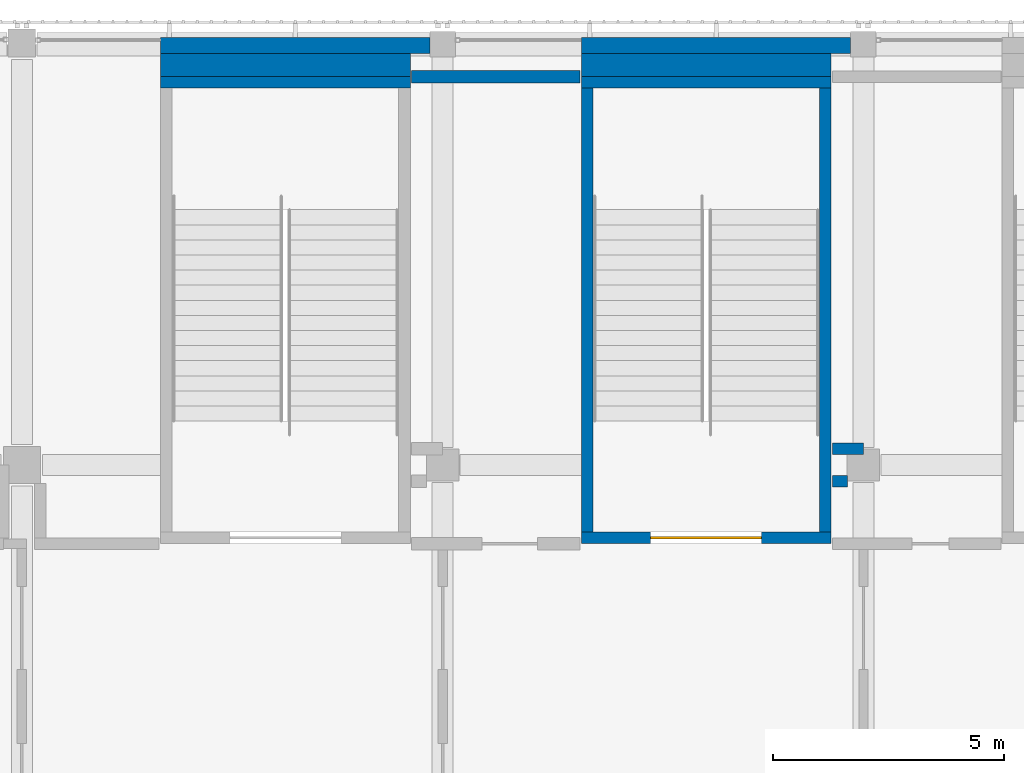
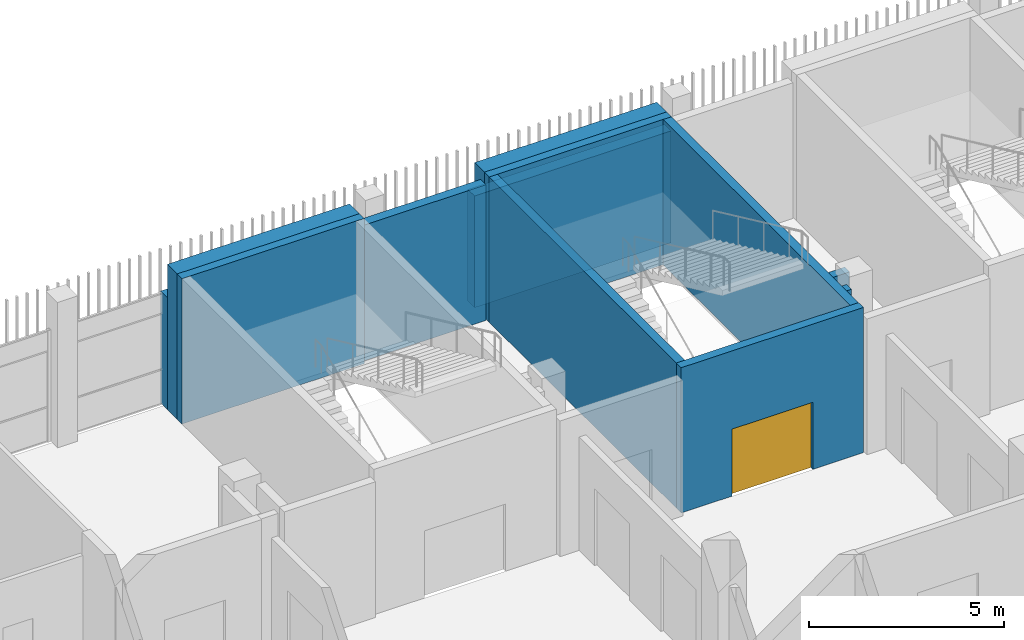
# One storey, part 86 of 126: 12 walls, 1 door, 1 opening.
"""IFC4 building model written with IfcOpenShell, lengths in metres."""

from ifc_helpers import new_model, si_unit, direction, frame, frame_2d, origin, place, context, subcontext, project, spatial, rectangle, extrude, material, layer, layer_set, type_object, element, fill, save


model = new_model("IFC4")

# Units and contexts
model_context = context("Model", 3, precision=1e-05, world=origin(), true_north=direction((0.0, 1.0)))
body_context = subcontext(model_context, "Body", "Model", "MODEL_VIEW")
ifc_project = project(units=[si_unit("LENGTHUNIT", "METRE"), si_unit("AREAUNIT", "SQUARE_METRE"), si_unit("VOLUMEUNIT", "CUBIC_METRE"), si_unit("PLANEANGLEUNIT", "RADIAN"), si_unit("MASSUNIT", "GRAM", prefix="KILO")], contexts=[model_context])

# Site, building, storey
site_placement = place(None, origin())
site = spatial("IfcSite", under=ifc_project, at=site_placement, CompositionType="ELEMENT")
building_placement = place(site_placement, origin())
building = spatial("IfcBuilding", under=site, at=building_placement, Name="Shirokan Park Arena", CompositionType="ELEMENT")
storey_placement = place(building_placement, frame((0.0, 0.0, 6.3701171875)))
storey = spatial("IfcBuildingStorey", under=building, at=storey_placement, Name="L01", CompositionType="ELEMENT", Elevation=6.3701171875)

# Walls
ifc_material_1 = material(Name="Plaster")
ifc_layer_1 = layer(ifc_material_1, 0.014892578125, Name="Plaster")
ifc_material_2 = material(Name="Concrete blockwork", Category="masonry")
ifc_layer_2 = layer(ifc_material_2, 0.219970703125, Name="Concrete blockwork 220")
ifc_layer_3 = layer(ifc_material_1, 0.014892578125, Name="Plaster")
ifc_layer_set_1 = layer_set([ifc_layer_1, ifc_layer_2, ifc_layer_3], Name="Plaster + Concrete blockwork 220")
wall_type_1 = type_object("IfcWallType", Name="Compartment wall 250", PredefinedType="SOLIDWALL", material=ifc_layer_set_1)
wall_1_placement = place(storey_placement, frame((126.72998046875, 99.75, 0.0), z_axis=(0.0, 0.0, 1.0), x_axis=(1.0, 0.0, 0.0)))
element("IfcWall", 1, at=wall_1_placement, inside=storey, type_object=wall_type_1, Name="Compartment wall 250 L01", PredefinedType="SOLIDWALL", context=body_context, shape_type="SweptSolid", body=[
    extrude(rectangle(XDim=0.320068359375, YDim=0.25, at=frame_2d((0.16015625, 0.0))), origin(), (0.0, 0.0, 1.0), 4.25),
])
wall_2_placement = place(storey_placement, frame((126.72998046875, 100.449951171875, 0.0), z_axis=(0.0, 0.0, 1.0), x_axis=(1.0, 0.0, 0.0)))
element("IfcWall", 2, at=wall_2_placement, inside=storey, type_object=wall_type_1, Name="Compartment wall 250 L01", PredefinedType="SOLIDWALL", context=body_context, shape_type="SweptSolid", body=[
    extrude(rectangle(XDim=0.669921875, YDim=0.25, at=frame_2d((0.3349609375, 0.0))), origin(), (0.0, 0.0, 1.0), 4.25),
])
ifc_material_3 = material(Name="Cedar cladding")
ifc_layer_4 = layer(ifc_material_3, 0.030029296875, Name="Cedar cladding")
ifc_material_4 = material(Name="Mineral wool insulation")
ifc_layer_5 = layer(ifc_material_4, 0.10009765625, Name="Mineral wool insulation")
ifc_material_5 = material(Name="Concrete C35", Category="concrete")
ifc_layer_6 = layer(ifc_material_5, 0.199951171875, Name="Concrete C35")
ifc_material_6 = material(Name="Gypsum board lining")
ifc_layer_7 = layer(ifc_material_6, 0.02001953125, Name="Gypsum board lining")
ifc_layer_set_2 = layer_set([ifc_layer_4, ifc_layer_5, ifc_layer_6, ifc_layer_7], Name="Cedar cladding + Mineral wool insulation + Concrete C35 + Gypsum board lining")
wall_type_2 = type_object("IfcWallType", Name="Insulated tower wall 350", PredefinedType="SOLIDWALL", material=ifc_layer_set_2)
for number, where, z_axis, x_axis, name in (
    (3, (127.125, 109.175048828125, 0.0), (0.0, 0.0, 1.0), (-1.0, 0.0, 0.0), "North facade wall bay 3 L01"),
    (4, (118.02490234375, 109.175048828125, 0.0), (0.0, 0.0, 1.0), (-1.0, 0.0, 0.0), "North facade wall bay 4 L01"),
):
    element("IfcWall", number, at=place(storey_placement, frame(where, z_axis=z_axis, x_axis=x_axis)), inside=storey, type_object=wall_type_2, Name=name, PredefinedType="SOLIDWALL", context=body_context, shape_type="SweptSolid", body=[
        extrude(rectangle(XDim=5.824951171875, YDim=0.35009765625, at=frame_2d((2.91259765625, 0.0))), origin(), (0.0, 0.0, 1.0), 3.5),
    ])
ifc_layer_8 = layer(ifc_material_1, 0.012451171875, Name="Plaster")
ifc_layer_9 = layer(ifc_material_2, 0.25, Name="Concrete blockwork 250")
ifc_layer_10 = layer(ifc_material_1, 0.012451171875, Name="Plaster")
ifc_layer_set_3 = layer_set([ifc_layer_8, ifc_layer_9, ifc_layer_10], Name="Plaster + Concrete blockwork 250")
wall_type_3 = type_object("IfcWallType", Name="Plant room wall 275", PredefinedType="SOLIDWALL", material=ifc_layer_set_3)
wall_3_placement = place(storey_placement, frame((117.6298828125, 108.5, 0.0), z_axis=(0.0, 0.0, 1.0), x_axis=(1.0, 0.0, 0.0)))
element("IfcWall", 5, at=wall_3_placement, inside=storey, type_object=wall_type_3, Name="Plant room wall 275 L01", PredefinedType="SOLIDWALL", context=body_context, shape_type="SweptSolid", body=[
    extrude(rectangle(XDim=3.64013671875, YDim=0.27490234375, at=frame_2d((1.820068359375, 0.0))), origin(), (0.0, 0.0, 1.0), 4.25),
])

# Wall, opening, door
ifc_material_7 = material(Name="Concrete C40/50", Category="concrete")
ifc_layer_11 = layer(ifc_material_7, 0.25)
ifc_layer_set_4 = layer_set([ifc_layer_11], Name="Concrete C40/50 250 mm")
wall_type_4 = type_object("IfcWallType", Name="RC shear wall 250", PredefinedType="SHEAR", material=ifc_layer_set_4)
wall_4_placement = place(storey_placement, frame((126.699951171875, 98.52490234375, 0.0), z_axis=(0.0, 0.0, 1.0), x_axis=(-1.0, 0.0, 0.0)))
wall_4 = element("IfcWall", 6, at=wall_4_placement, inside=storey, type_object=wall_type_4, Name="Shaft wall Exit Stair 3.C S L01", PredefinedType="SHEAR", context=body_context, shape_type="SweptSolid", body=[
    extrude(rectangle(XDim=5.39990234375, YDim=0.25, at=frame_2d((2.699951171875, 0.0))), origin(), (0.0, 0.0, 1.0), 4.5498046875),
])
opening_placement = place(wall_4_placement, frame((1.5, 0.0, 0.0)))
opening = element("IfcOpeningElement", 7, at=opening_placement, cuts=wall_4, Name="Opening D-1120", PredefinedType="OPENING", context=body_context, shape_type="SweptSolid", body=[
    extrude(rectangle(XDim=2.39990234375, YDim=2.10009765625, at=frame_2d((1.199951171875, 1.050048828125))), frame((0.0, 0.135009765625, 0.0), z_axis=(0.0, -1.0, 0.0), x_axis=(1.0, 0.0, 0.0)), (0.0, 0.0, 1.0), 0.27001953125),
])
ifc_material_8 = material(Name="Steel door set, fire resisting", Category="steel")
door_type = type_object("IfcDoorType", Name="Stair door 2400 x 2100", OperationType="DOUBLE_DOOR_SINGLE_SWING", PredefinedType="DOOR", material=ifc_material_8)
door_placement = place(opening_placement, origin())
door = element("IfcDoor", 8, at=door_placement, inside=storey, type_object=door_type, Name="Stair door Exit Stair 3.C D-1120", OperationType="DOUBLE_DOOR_SINGLE_SWING", OverallHeight=2.10009765625, OverallWidth=2.39990234375, PredefinedType="DOOR", context=body_context, shape_type="SweptSolid", body=[
    extrude(rectangle(XDim=2.39990234375, YDim=2.10009765625, at=frame_2d((1.199951171875, 1.050048828125))), frame((0.0, 0.02490234375, 0.0), z_axis=(0.0, -1.0, 0.0), x_axis=(1.0, 0.0, 0.0)), (0.0, 0.0, 1.0), 0.050048828125),
])
fill(opening, door)

# Walls
wall_5_placement = place(storey_placement, frame((126.699951171875, 108.375, 0.0), z_axis=(0.0, 0.0, 1.0), x_axis=(-1.0, 0.0, 0.0)))
element("IfcWall", 9, at=wall_5_placement, inside=storey, type_object=wall_type_4, Name="Shaft wall Exit Stair 3.C N L01", PredefinedType="SHEAR", context=body_context, shape_type="SweptSolid", body=[
    extrude(rectangle(XDim=5.39990234375, YDim=0.25, at=frame_2d((2.699951171875, 0.0))), origin(), (0.0, 0.0, 1.0), 4.5498046875),
])
for number, where, z_axis, x_axis, name in (
    (10, (121.425048828125, 108.25, 0.0), (0.0, 0.0, 1.0), (0.0, -1.0, 0.0), "Shaft wall Exit Stair 3.C W L01"),
    (11, (126.574951171875, 108.25, 0.0), (0.0, 0.0, 1.0), (0.0, -1.0, 0.0), "Shaft wall Exit Stair 3.C E L01"),
):
    element("IfcWall", number, at=place(storey_placement, frame(where, z_axis=z_axis, x_axis=x_axis)), inside=storey, type_object=wall_type_4, Name=name, PredefinedType="SHEAR", context=body_context, shape_type="SweptSolid", body=[
        extrude(rectangle(XDim=9.60009765625, YDim=0.25, at=frame_2d((4.800048828125, 0.0))), origin(), (0.0, 0.0, 1.0), 4.5498046875),
    ])
wall_6_placement = place(storey_placement, frame((117.60009765625, 108.375, 0.0), z_axis=(0.0, 0.0, 1.0), x_axis=(-1.0, 0.0, 0.0)))
element("IfcWall", 12, at=wall_6_placement, inside=storey, type_object=wall_type_4, Name="Shaft wall Exit Stair 3.D N L01", PredefinedType="SHEAR", context=body_context, shape_type="SweptSolid", body=[
    extrude(rectangle(XDim=5.400146484375, YDim=0.25, at=frame_2d((2.7001953125, 0.0))), origin(), (0.0, 0.0, 1.0), 4.5498046875),
])
ifc_layer_12 = layer(ifc_material_5, 0.5)
ifc_layer_set_5 = layer_set([ifc_layer_12], Name="Concrete C35 500 mm")
wall_type_5 = type_object("IfcWallType", Name="Shaft infill wall 500", PredefinedType="SOLIDWALL", material=ifc_layer_set_5)
wall_7_placement = place(storey_placement, frame((121.300048828125, 108.75, 0.0), z_axis=(0.0, 0.0, 1.0), x_axis=(1.0, 0.0, 0.0)))
element("IfcWall", 13, at=wall_7_placement, inside=storey, type_object=wall_type_5, Name="Shaft infill wall L01", PredefinedType="SOLIDWALL", context=body_context, shape_type="SweptSolid", body=[
    extrude(rectangle(XDim=5.39990234375, YDim=0.5, at=frame_2d((2.699951171875, 0.0))), origin(), (0.0, 0.0, 1.0), 4.5498046875),
])
wall_8_placement = place(storey_placement, frame((112.199951171875, 108.75, 0.0), z_axis=(0.0, 0.0, 1.0), x_axis=(1.0, 0.0, 0.0)))
element("IfcWall", 14, at=wall_8_placement, inside=storey, type_object=wall_type_5, Name="Shaft infill wall L01", PredefinedType="SOLIDWALL", context=body_context, shape_type="SweptSolid", body=[
    extrude(rectangle(XDim=5.400146484375, YDim=0.5, at=frame_2d((2.7001953125, 0.0))), origin(), (0.0, 0.0, 1.0), 4.5498046875),
])

save(model, "model.ifc")
